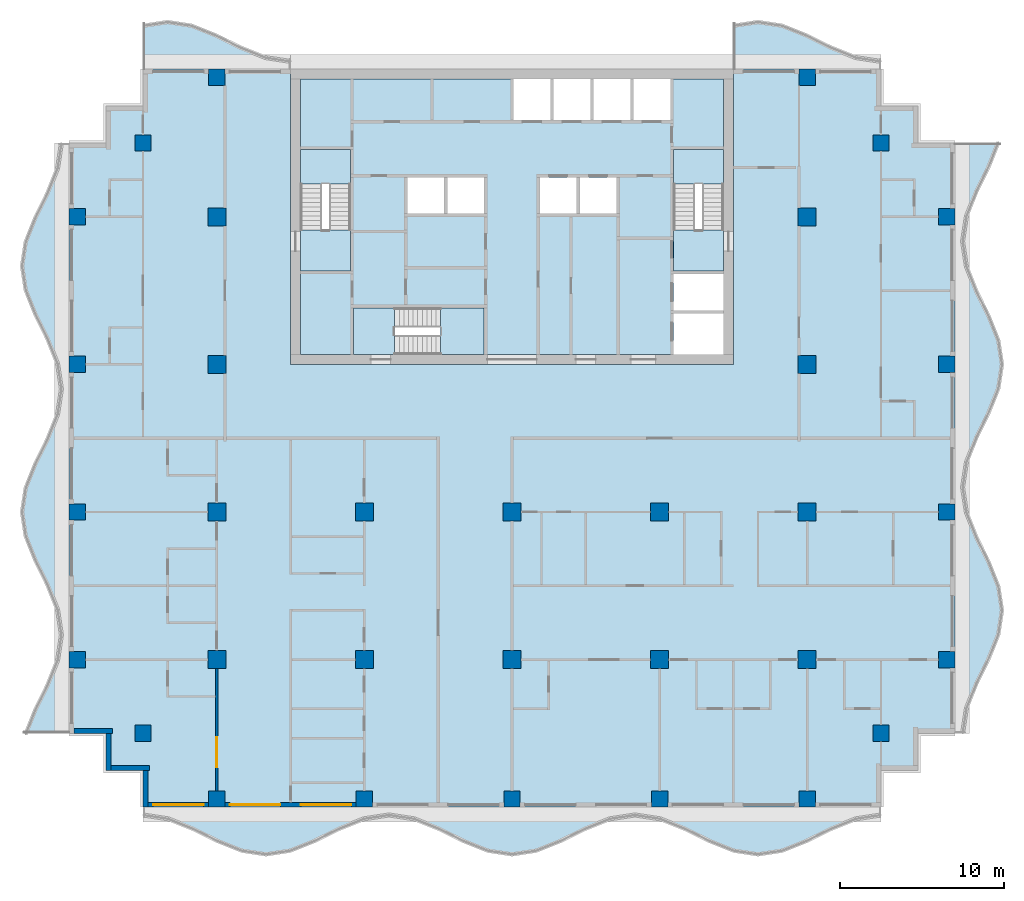
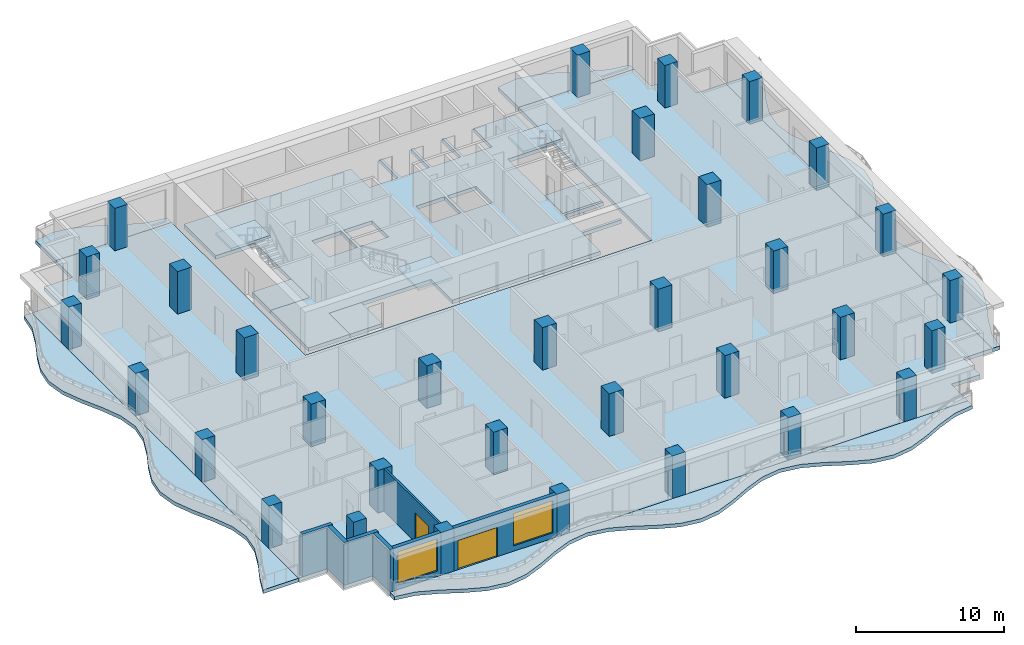
# One storey, part 1 of 12: 33 columns, 13 slabs, 7 walls, 2 doors, 2 windows, 4 openings, 3 elements without a shape of their own.
"""IFC4 building model written with IfcOpenShell, lengths in metres."""

from ifc_helpers import new_model, si_unit, direction, frame, frame_2d, origin, origin_2d, place, context, subcontext, project, spatial, polyline, rectangle, outline, extrude, material, layer, layer_set, material_profile, profile_set, type_object, element, fill, aggregate, save


model = new_model("IFC4")

# Units and contexts
model_context = context("Model", 3, precision=1e-05, world=origin(), true_north=direction((0.0, 1.0)))
body_context = subcontext(model_context, "Body", "Model", "MODEL_VIEW")
ifc_project = project(units=[si_unit("LENGTHUNIT", "METRE"), si_unit("AREAUNIT", "SQUARE_METRE"), si_unit("VOLUMEUNIT", "CUBIC_METRE"), si_unit("PLANEANGLEUNIT", "RADIAN"), si_unit("MASSUNIT", "GRAM", prefix="KILO")], contexts=[model_context])

# Site, building, storey
site_placement = place(None, origin())
site = spatial("IfcSite", under=ifc_project, at=site_placement, CompositionType="ELEMENT")
building_placement = place(site_placement, origin())
building = spatial("IfcBuilding", under=site, at=building_placement, Name="Orbiselva Terraces", CompositionType="ELEMENT")
storey_placement = place(building_placement, frame((0.0, 0.0, 203.4)))
storey = spatial("IfcBuildingStorey", under=building, at=storey_placement, Name="L51", CompositionType="ELEMENT", Elevation=203.4)

# Columns
ifc_material_1 = material(Name="Concrete C60/75", Category="concrete")
ifc_material_profile_1 = material_profile(ifc_material_1, rectangle(XDim=1.1, YDim=1.1, at=origin_2d()), Name="RC 1100x1100")
ifc_profile_set_1 = profile_set([ifc_material_profile_1], Name="Concrete C60/75")
column_type_1 = type_object("IfcColumnType", Name="COLUMN RC 1100x1100", PredefinedType="COLUMN", material=ifc_profile_set_1)
for number, where, z_axis, x_axis, name in (
    (1, (-18.0, -13.5, 0.0), (0.0, 0.0, 1.0), (1.0, 0.0, 0.0), "Column L51-01"),
    (2, (-18.0, -4.5, 0.0), (0.0, 0.0, 1.0), (1.0, 0.0, 0.0), "Column L51-03"),
    (3, (-18.0, 13.5, 0.0), (0.0, 0.0, 1.0), (1.0, 0.0, 0.0), "Column L51-04"),
    (4, (-18.0, 4.5, 0.0), (0.0, 0.0, 1.0), (1.0, 0.0, 0.0), "Column L51-06"),
    (5, (-9.0, -13.5, 0.0), (0.0, 0.0, 1.0), (1.0, 0.0, 0.0), "Column L51-13"),
    (6, (-9.0, -4.5, 0.0), (0.0, 0.0, 1.0), (1.0, 0.0, 0.0), "Column L51-15"),
    (7, (0.0, -13.5, 0.0), (0.0, 0.0, 1.0), (1.0, 0.0, 0.0), "Column L51-16"),
    (8, (0.0, -4.5, 0.0), (0.0, 0.0, 1.0), (1.0, 0.0, 0.0), "Column L51-18"),
    (9, (18.0, -13.5, 0.0), (0.0, 0.0, 1.0), (1.0, 0.0, 0.0), "Column L51-19"),
    (10, (18.0, -4.5, 0.0), (0.0, 0.0, 1.0), (1.0, 0.0, 0.0), "Column L51-21"),
    (11, (18.0, 13.5, 0.0), (0.0, 0.0, 1.0), (1.0, 0.0, 0.0), "Column L51-22"),
    (12, (18.0, 4.5, 0.0), (0.0, 0.0, 1.0), (1.0, 0.0, 0.0), "Column L51-24"),
    (13, (9.0, -13.5, 0.0), (0.0, 0.0, 1.0), (1.0, 0.0, 0.0), "Column L51-31"),
    (14, (9.0, -4.5, 0.0), (0.0, 0.0, 1.0), (1.0, 0.0, 0.0), "Column L51-33"),
):
    element("IfcColumn", number, at=place(storey_placement, frame(where, z_axis=z_axis, x_axis=x_axis)), inside=storey, type_object=column_type_1, Name=name, PredefinedType="COLUMN", context=body_context, shape_type="SweptSolid", body=[
        extrude(rectangle(XDim=1.1, YDim=1.1, at=origin_2d()), origin(), (0.0, 0.0, 1.0), 3.5),
    ])
ifc_material_2 = material(Name="Concrete C50/60", Category="concrete")
ifc_material_profile_2 = material_profile(ifc_material_2, rectangle(XDim=1.0, YDim=1.0, at=origin_2d()), Name="RC 1000x1000")
ifc_profile_set_2 = profile_set([ifc_material_profile_2], Name="Concrete C50/60")
column_type_2 = type_object("IfcColumnType", Name="PERIMETER COLUMN RC 1000x1000", PredefinedType="COLUMN", material=ifc_profile_set_2)
for number, where, z_axis, x_axis, name in (
    (15, (-18.0, -22.0, 0.0), (0.0, 0.0, 1.0), (1.0, 0.0, 0.0), "Column L51-02"),
    (16, (-18.0, 22.0, 0.0), (0.0, 0.0, 1.0), (1.0, 0.0, 0.0), "Column L51-05"),
    (17, (-26.5, -13.5, 0.0), (0.0, 0.0, 1.0), (1.0, 0.0, 0.0), "Column L51-07"),
    (18, (-22.5, -18.0, 0.0), (0.0, 0.0, 1.0), (1.0, 0.0, 0.0), "Column L51-08"),
    (19, (-26.5, -4.5, 0.0), (0.0, 0.0, 1.0), (1.0, 0.0, 0.0), "Column L51-09"),
    (20, (-26.5, 13.5, 0.0), (0.0, 0.0, 1.0), (1.0, 0.0, 0.0), "Column L51-10"),
    (21, (-22.5, 18.0, 0.0), (0.0, 0.0, 1.0), (1.0, 0.0, 0.0), "Column L51-11"),
    (22, (-26.5, 4.5, 0.0), (0.0, 0.0, 1.0), (1.0, 0.0, 0.0), "Column L51-12"),
    (23, (-9.0, -22.0, 0.0), (0.0, 0.0, 1.0), (1.0, 0.0, 0.0), "Column L51-14"),
    (24, (0.0, -22.0, 0.0), (0.0, 0.0, 1.0), (1.0, 0.0, 0.0), "Column L51-17"),
    (25, (18.0, -22.0, 0.0), (0.0, 0.0, 1.0), (1.0, 0.0, 0.0), "Column L51-20"),
    (26, (18.0, 22.0, 0.0), (0.0, 0.0, 1.0), (1.0, 0.0, 0.0), "Column L51-23"),
    (27, (26.5, -13.5, 0.0), (0.0, 0.0, 1.0), (1.0, 0.0, 0.0), "Column L51-25"),
    (28, (22.5, -18.0, 0.0), (0.0, 0.0, 1.0), (1.0, 0.0, 0.0), "Column L51-26"),
    (29, (26.5, -4.5, 0.0), (0.0, 0.0, 1.0), (1.0, 0.0, 0.0), "Column L51-27"),
    (30, (26.5, 13.5, 0.0), (0.0, 0.0, 1.0), (1.0, 0.0, 0.0), "Column L51-28"),
    (31, (22.5, 18.0, 0.0), (0.0, 0.0, 1.0), (1.0, 0.0, 0.0), "Column L51-29"),
    (32, (26.5, 4.5, 0.0), (0.0, 0.0, 1.0), (1.0, 0.0, 0.0), "Column L51-30"),
    (33, (9.0, -22.0, 0.0), (0.0, 0.0, 1.0), (1.0, 0.0, 0.0), "Column L51-32"),
):
    element("IfcColumn", number, at=place(storey_placement, frame(where, z_axis=z_axis, x_axis=x_axis)), inside=storey, type_object=column_type_2, Name=name, PredefinedType="COLUMN", context=body_context, shape_type="SweptSolid", body=[
        extrude(rectangle(XDim=1.0, YDim=1.0, at=origin_2d()), origin(), (0.0, 0.0, 1.0), 3.5),
    ])

# Slabs
ifc_material_3 = material(Name="Concrete C40/50", Category="concrete")
ifc_layer_1 = layer(ifc_material_3, 0.3)
ifc_layer_set_1 = layer_set([ifc_layer_1], Name="Concrete C40/50")
slab_type_1 = type_object("IfcSlabType", Name="CORE-SLAB-FLOOR-300", PredefinedType="FLOOR", material=ifc_layer_set_1)
slab_1_placement = place(storey_placement, frame((0.0, 0.0, -0.3)))
element("IfcSlab", 34, at=slab_1_placement, inside=storey, type_object=slab_type_1, Name="L51 S1 floor landing", PredefinedType="FLOOR", context=body_context, shape_type="SweptSolid", body=[
    extrude(outline(polyline([(-12.9, 12.7), (-9.85, 12.7), (-9.85, 10.2), (-12.9, 10.2), (-12.9, 12.7)])), origin(), (0.0, 0.0, 1.0), 0.3),
])
slab_2_placement = place(storey_placement, frame((0.0, 0.0, -0.3)))
element("IfcSlab", 35, at=slab_2_placement, inside=storey, type_object=slab_type_1, Name="L51 S2 floor landing", PredefinedType="FLOOR", context=body_context, shape_type="SweptSolid", body=[
    extrude(outline(polyline([(12.9, 12.7), (12.9, 10.2), (9.85, 10.2), (9.85, 12.7), (12.9, 12.7)])), origin(), (0.0, 0.0, 1.0), 0.3),
])
slab_3_placement = place(storey_placement, frame((0.0, 0.0, -0.3)))
element("IfcSlab", 36, at=slab_3_placement, inside=storey, type_object=slab_type_1, Name="L51 S3 floor landing", PredefinedType="FLOOR", context=body_context, shape_type="SweptSolid", body=[
    extrude(outline(polyline([(-7.15, 5.1), (-9.65, 5.1), (-9.65, 7.95), (-7.15, 7.95), (-7.15, 5.1)])), origin(), (0.0, 0.0, 1.0), 0.3),
])
slab_4_placement = place(storey_placement, frame((0.0, 0.0, -0.3)))
element("IfcSlab", 37, at=slab_4_placement, inside=storey, type_object=slab_type_1, Name="L51 core floor slab 1", PredefinedType="FLOOR", context=body_context, shape_type="SweptSolid", body=[
    extrude(outline(polyline([(-1.7, 5.1), (-1.7, 7.95), (-9.65, 7.95), (-9.65, 5.1), (-12.9, 5.1), (-12.9, 10.2), (-9.85, 10.2), (-9.85, 17.6), (-12.9, 17.6), (-12.9, 21.9), (0.1, 21.9), (0.1, 19.4), (2.3375, 19.4), (2.3375, 21.9), (2.5375, 21.9), (2.5375, 19.4), (4.775, 19.4), (4.775, 21.9), (4.975, 21.9), (4.975, 19.4), (7.2125, 19.4), (7.2125, 21.9), (7.4125, 21.9), (7.4125, 19.4), (9.65, 19.4), (9.65, 21.9), (12.9, 21.9), (12.9, 17.6), (9.85, 17.6), (9.85, 10.2), (12.9, 10.2), (12.9, 10.0), (9.85, 10.0), (9.85, 7.8), (12.9, 7.8), (12.9, 7.6), (9.85, 7.6), (9.85, 5.1), (-1.7, 5.1)]), holes=[polyline([(-4.1375, 13.7), (-4.1375, 15.9), (-6.375, 15.9), (-6.375, 13.7), (-4.1375, 13.7)]), polyline([(-1.7, 13.7), (-1.7, 15.9), (-3.9375, 15.9), (-3.9375, 13.7), (-1.7, 13.7)]), polyline([(3.9375, 15.9), (1.7, 15.9), (1.7, 13.7), (3.9375, 13.7), (3.9375, 15.9)]), polyline([(6.375, 13.7), (6.375, 15.9), (4.1375, 15.9), (4.1375, 13.7), (6.375, 13.7)])]), origin(), (0.0, 0.0, 1.0), 0.3),
])

# Stair, slab
stair_type_1 = type_object("IfcStairType", Name="CORE-STAIR-1300", PredefinedType="HALF_TURN_STAIR", material=ifc_material_3)
stair_1_placement = place(storey_placement, origin())
stair_1 = element("IfcStair", 38, at=stair_1_placement, inside=storey, type_object=stair_type_1, Name="L51 Exit Stair S1", PredefinedType="HALF_TURN_STAIR")
ifc_layer_2 = layer(ifc_material_3, 0.2)
ifc_layer_set_2 = layer_set([ifc_layer_2], Name="Concrete C40/50")
slab_type_2 = type_object("IfcSlabType", Name="CORE-STAIR-LANDING-200", PredefinedType="LANDING", material=ifc_layer_set_2)
slab_5_placement = place(storey_placement, frame((0.0, 0.0, 1.7)))
slab_5 = element("IfcSlab", 39, at=slab_5_placement, type_object=slab_type_2, Name="S1 landing 1", PredefinedType="LANDING", context=body_context, shape_type="SweptSolid", body=[
    extrude(outline(polyline([(-9.85, 15.5), (-9.85, 17.6), (-12.9, 17.6), (-12.9, 15.5), (-9.85, 15.5)])), origin(), (0.0, 0.0, 1.0), 0.2),
])
aggregate(stair_1, [slab_5])

stair_2_placement = place(storey_placement, origin())
stair_2 = element("IfcStair", 40, at=stair_2_placement, inside=storey, type_object=stair_type_1, Name="L51 Exit Stair S2", PredefinedType="HALF_TURN_STAIR")
slab_6_placement = place(storey_placement, frame((0.0, 0.0, 1.7)))
slab_6 = element("IfcSlab", 41, at=slab_6_placement, type_object=slab_type_2, Name="S2 landing 1", PredefinedType="LANDING", context=body_context, shape_type="SweptSolid", body=[
    extrude(outline(polyline([(12.9, 15.5), (12.9, 17.6), (9.85, 17.6), (9.85, 15.5), (12.9, 15.5)])), origin(), (0.0, 0.0, 1.0), 0.2),
])
aggregate(stair_2, [slab_6])

stair_type_2 = type_object("IfcStairType", Name="CORE-STAIR-1200", PredefinedType="HALF_TURN_STAIR", material=ifc_material_3)
stair_3_placement = place(storey_placement, origin())
stair_3 = element("IfcStair", 42, at=stair_3_placement, inside=storey, type_object=stair_type_2, Name="L51 Exit Stair S3", PredefinedType="HALF_TURN_STAIR")
slab_7_placement = place(storey_placement, frame((0.0, 0.0, 1.7)))
slab_7 = element("IfcSlab", 43, at=slab_7_placement, type_object=slab_type_2, Name="S3 landing 1", PredefinedType="LANDING", context=body_context, shape_type="SweptSolid", body=[
    extrude(outline(polyline([(-4.35, 5.1), (-1.7, 5.1), (-1.7, 7.95), (-4.35, 7.95), (-4.35, 5.1)])), origin(), (0.0, 0.0, 1.0), 0.2),
])
aggregate(stair_3, [slab_7])

# Slabs
ifc_layer_3 = layer(ifc_material_2, 0.3)
ifc_layer_set_3 = layer_set([ifc_layer_3], Name="Concrete C50/60")
slab_type_3 = type_object("IfcSlabType", Name="ENV-BALCONY-SLAB-300", PredefinedType="FLOOR", material=ifc_layer_set_3)
slab_8_placement = place(storey_placement, frame((0.0, 0.0, -0.3)))
element("IfcSlab", 44, at=slab_8_placement, inside=storey, type_object=slab_type_3, Name="Balcony slab L51 S", PredefinedType="FLOOR", context=body_context, shape_type="SweptSolid", body=[
    extrude(outline(polyline([(-22.5, -23.1), (-21.0, -23.32918), (-19.5, -23.92918), (-18.0, -24.67082), (-16.5, -25.27082), (-15.0, -25.5), (-13.5, -25.27082), (-12.0, -24.67082), (-10.5, -23.92918), (-9.0, -23.32918), (-7.5, -23.1), (-6.0, -23.32918), (-4.5, -23.92918), (-3.0, -24.67082), (-1.5, -25.27082), (0.0, -25.5), (1.5, -25.27082), (3.0, -24.67082), (4.5, -23.92918), (6.0, -23.32918), (7.5, -23.1), (9.0, -23.32918), (10.5, -23.92918), (12.0, -24.67082), (13.5, -25.27082), (15.0, -25.5), (16.5, -25.27082), (18.0, -24.67082), (19.5, -23.92918), (21.0, -23.32918), (22.5, -23.1), (22.5, -22.5), (-22.5, -22.5), (-22.5, -23.1)])), origin(), (0.0, 0.0, 1.0), 0.3),
])
slab_9_placement = place(storey_placement, frame((0.0, 0.0, -0.3)))
element("IfcSlab", 45, at=slab_9_placement, inside=storey, type_object=slab_type_3, Name="Balcony slab L51 E", PredefinedType="FLOOR", context=body_context, shape_type="SweptSolid", body=[
    extrude(outline(polyline([(27.6, -18.0), (27.82918, -16.5), (28.42918, -15.0), (29.17082, -13.5), (29.77082, -12.0), (30.0, -10.5), (29.77082, -9.0), (29.17082, -7.5), (28.42918, -6.0), (27.82918, -4.5), (27.6, -3.0), (27.82918, -1.5), (28.42918, 0.0), (29.17082, 1.5), (29.77082, 3.0), (30.0, 4.5), (29.77082, 6.0), (29.17082, 7.5), (28.42918, 9.0), (27.82918, 10.5), (27.6, 12.0), (27.82918, 13.5), (28.42918, 15.0), (29.17082, 16.5), (29.77082, 18.0), (27.0, 18.0), (27.0, -18.0), (27.6, -18.0)])), origin(), (0.0, 0.0, 1.0), 0.3),
])
slab_10_placement = place(storey_placement, frame((0.0, 0.0, -0.3)))
element("IfcSlab", 46, at=slab_10_placement, inside=storey, type_object=slab_type_3, Name="Balcony slab L51 NE", PredefinedType="FLOOR", context=body_context, shape_type="SweptSolid", body=[
    extrude(outline(polyline([(22.5, 23.1), (21.0, 23.32918), (19.5, 23.92918), (18.0, 24.67082), (16.5, 25.27082), (15.0, 25.5), (13.5, 25.27082), (13.5, 22.5), (22.5, 22.5), (22.5, 23.1)])), origin(), (0.0, 0.0, 1.0), 0.3),
])
slab_11_placement = place(storey_placement, frame((0.0, 0.0, -0.3)))
element("IfcSlab", 47, at=slab_11_placement, inside=storey, type_object=slab_type_3, Name="Balcony slab L51 NW", PredefinedType="FLOOR", context=body_context, shape_type="SweptSolid", body=[
    extrude(outline(polyline([(-13.5, 23.1), (-15.0, 23.32918), (-16.5, 23.92918), (-18.0, 24.67082), (-19.5, 25.27082), (-21.0, 25.5), (-22.5, 25.27082), (-22.5, 22.5), (-13.5, 22.5), (-13.5, 23.1)])), origin(), (0.0, 0.0, 1.0), 0.3),
])
slab_12_placement = place(storey_placement, frame((0.0, 0.0, -0.3)))
element("IfcSlab", 48, at=slab_12_placement, inside=storey, type_object=slab_type_3, Name="Balcony slab L51 W", PredefinedType="FLOOR", context=body_context, shape_type="SweptSolid", body=[
    extrude(outline(polyline([(-27.6, 18.0), (-27.82918, 16.5), (-28.42918, 15.0), (-29.17082, 13.5), (-29.77082, 12.0), (-30.0, 10.5), (-29.77082, 9.0), (-29.17082, 7.5), (-28.42918, 6.0), (-27.82918, 4.5), (-27.6, 3.0), (-27.82918, 1.5), (-28.42918, 0.0), (-29.17082, -1.5), (-29.77082, -3.0), (-30.0, -4.5), (-29.77082, -6.0), (-29.17082, -7.5), (-28.42918, -9.0), (-27.82918, -10.5), (-27.6, -12.0), (-27.82918, -13.5), (-28.42918, -15.0), (-29.17082, -16.5), (-29.77082, -18.0), (-27.0, -18.0), (-27.0, 18.0), (-27.6, 18.0)])), origin(), (0.0, 0.0, 1.0), 0.3),
])
ifc_layer_4 = layer(ifc_material_2, 0.3)
ifc_layer_set_4 = layer_set([ifc_layer_4], Name="Concrete C50/60")
slab_type_4 = type_object("IfcSlabType", Name="FLOOR SLAB 300", PredefinedType="FLOOR", material=ifc_layer_set_4)
slab_13_placement = place(storey_placement, frame((0.0, 0.0, -0.3)))
element("IfcSlab", 49, at=slab_13_placement, inside=storey, type_object=slab_type_4, Name="Floor slab L51", PredefinedType="FLOOR", context=body_context, shape_type="SweptSolid", body=[
    extrude(outline(polyline([(22.5, 22.5), (22.5, 20.25), (24.75, 20.25), (24.75, 18.0), (27.0, 18.0), (27.0, -18.0), (24.75, -18.0), (24.75, -20.25), (22.5, -20.25), (22.5, -22.5), (-22.5, -22.5), (-22.5, -20.25), (-24.75, -20.25), (-24.75, -18.0), (-27.0, -18.0), (-27.0, 18.0), (-24.75, 18.0), (-24.75, 20.25), (-22.5, 20.25), (-22.5, 22.5), (-13.5, 22.5), (-13.5, 4.5), (13.5, 4.5), (13.5, 22.5), (22.5, 22.5)])), origin(), (0.0, 0.0, 1.0), 0.3),
])

# Wall, opening, window
ifc_material_4 = material(Name="Terracotta cladding on masonry backing", Category="masonry")
ifc_layer_5 = layer(ifc_material_4, 0.3)
ifc_layer_set_5 = layer_set([ifc_layer_5], Name="Terracotta cladding on masonry backing")
wall_type_1 = type_object("IfcWallType", Name="ENV-WALL-TERRACOTTA-300", PredefinedType="SOLIDWALL", material=ifc_layer_set_5)
wall_1_placement = place(storey_placement, frame((-18.5, -22.35, 0.0), z_axis=(0.0, 0.0, 1.0), x_axis=(-1.0, 0.0, 0.0)))
wall_1 = element("IfcWall", 50, at=wall_1_placement, inside=storey, type_object=wall_type_1, Name="Facade wall L51 S", PredefinedType="SOLIDWALL", context=body_context, shape_type="SweptSolid", body=[
    extrude(rectangle(XDim=3.7, YDim=0.3, at=frame_2d((1.85, 0.0))), origin(), (0.0, 0.0, 1.0), 3.5),
])
opening_1_placement = place(wall_1_placement, frame((0.3, 0.0, 0.45)))
opening_1 = element("IfcOpeningElement", 51, at=opening_1_placement, cuts=wall_1, Name="Opening WN15", PredefinedType="OPENING", context=body_context, shape_type="SweptSolid", body=[
    extrude(rectangle(XDim=3.075, YDim=2.65, at=frame_2d((1.5375, 1.325))), frame((0.0, 0.16, 0.0), z_axis=(0.0, -1.0, 0.0), x_axis=(1.0, 0.0, 0.0)), (0.0, 0.0, 1.0), 0.32),
])
ifc_material_5 = material(Name="Clear low-e glazing in aluminium frame", Category="aluminium")
window_type = type_object("IfcWindowType", Name="WINDOW 3075 X 2650 S450", PartitioningType="TRIPLE_PANEL_VERTICAL", PredefinedType="WINDOW", material=ifc_material_5)
window_1_placement = place(opening_1_placement, origin())
window_1 = element("IfcWindow", 52, at=window_1_placement, inside=storey, type_object=window_type, Name="Window L51 S", OverallHeight=2.65, OverallWidth=3.075, PartitioningType="SINGLE_PANEL", PredefinedType="WINDOW", context=body_context, shape_type="SweptSolid", body=[
    extrude(rectangle(XDim=3.075, YDim=2.65, at=frame_2d((1.5375, 1.325))), frame((0.0, 0.03, 0.0), z_axis=(0.0, -1.0, 0.0), x_axis=(1.0, 0.0, 0.0)), (0.0, 0.0, 1.0), 0.06),
])
fill(opening_1, window_1)

# Wall, openings, door, window
wall_2_placement = place(storey_placement, frame((-9.5, -22.35, 0.0), z_axis=(0.0, 0.0, 1.0), x_axis=(-1.0, 0.0, 0.0)))
wall_2 = element("IfcWall", 53, at=wall_2_placement, inside=storey, type_object=wall_type_1, Name="Facade wall L51 S", PredefinedType="SOLIDWALL", context=body_context, shape_type="SweptSolid", body=[
    extrude(rectangle(XDim=8.0, YDim=0.3, at=frame_2d((4.0, 0.0))), origin(), (0.0, 0.0, 1.0), 3.5),
])
opening_2_placement = place(wall_2_placement, frame((4.625, 0.0, 0.0)))
opening_2 = element("IfcOpeningElement", 54, at=opening_2_placement, cuts=wall_2, Name="Opening Z4-B-E10", PredefinedType="OPENING", context=body_context, shape_type="SweptSolid", body=[
    extrude(rectangle(XDim=3.075, YDim=2.4, at=frame_2d((1.5375, 1.2))), frame((0.0, 0.16, 0.0), z_axis=(0.0, -1.0, 0.0), x_axis=(1.0, 0.0, 0.0)), (0.0, 0.0, 1.0), 0.32),
])
opening_3_placement = place(wall_2_placement, frame((0.3, 0.0, 0.45)))
opening_3 = element("IfcOpeningElement", 55, at=opening_3_placement, cuts=wall_2, Name="Opening WN15", PredefinedType="OPENING", context=body_context, shape_type="SweptSolid", body=[
    extrude(rectangle(XDim=3.075, YDim=2.65, at=frame_2d((1.5375, 1.325))), frame((0.0, 0.16, 0.0), z_axis=(0.0, -1.0, 0.0), x_axis=(1.0, 0.0, 0.0)), (0.0, 0.0, 1.0), 0.32),
])
door_type_1 = type_object("IfcDoorType", Name="BALCONY DOOR 3075 X 2400", OperationType="DOUBLE_DOOR_SLIDING", PredefinedType="DOOR", material=ifc_material_5)
door_1_placement = place(opening_2_placement, origin())
door_1 = element("IfcDoor", 56, at=door_1_placement, inside=storey, type_object=door_type_1, Name="Z4-B-E10", OperationType="SINGLE_SWING_LEFT", OverallHeight=2.4, OverallWidth=3.075, PredefinedType="DOOR", context=body_context, shape_type="SweptSolid", body=[
    extrude(rectangle(XDim=3.075, YDim=2.4, at=frame_2d((1.5375, 1.2))), frame((0.0, 0.025, 0.0), z_axis=(0.0, -1.0, 0.0), x_axis=(1.0, 0.0, 0.0)), (0.0, 0.0, 1.0), 0.05),
])
fill(opening_2, door_1)
window_2_placement = place(opening_3_placement, origin())
window_2 = element("IfcWindow", 57, at=window_2_placement, inside=storey, type_object=window_type, Name="Window L51 S", OverallHeight=2.65, OverallWidth=3.075, PartitioningType="SINGLE_PANEL", PredefinedType="WINDOW", context=body_context, shape_type="SweptSolid", body=[
    extrude(rectangle(XDim=3.075, YDim=2.65, at=frame_2d((1.5375, 1.325))), frame((0.0, 0.03, 0.0), z_axis=(0.0, -1.0, 0.0), x_axis=(1.0, 0.0, 0.0)), (0.0, 0.0, 1.0), 0.06),
])
fill(opening_3, window_2)

# Walls
wall_3_placement = place(storey_placement, frame((-24.35, -17.85, 0.0), z_axis=(0.0, 0.0, 1.0), x_axis=(-1.0, 0.0, 0.0)))
element("IfcWall", 58, at=wall_3_placement, inside=storey, type_object=wall_type_1, Name="Facade wall L51 STEP", PredefinedType="SOLIDWALL", context=body_context, shape_type="SweptSolid", body=[
    extrude(rectangle(XDim=2.35, YDim=0.3, at=frame_2d((1.175, 0.0))), origin(), (0.0, 0.0, 1.0), 3.5),
])
wall_4_placement = place(storey_placement, frame((-24.6, -20.25, 0.0), z_axis=(0.0, 0.0, 1.0), x_axis=(0.0, 1.0, 0.0)))
element("IfcWall", 59, at=wall_4_placement, inside=storey, type_object=wall_type_1, Name="Facade wall L51 STEP", PredefinedType="SOLIDWALL", context=body_context, shape_type="SweptSolid", body=[
    extrude(rectangle(XDim=2.25, YDim=0.3, at=frame_2d((1.125, 0.0))), origin(), (0.0, 0.0, 1.0), 3.5),
])
wall_5_placement = place(storey_placement, frame((-22.1, -20.1, 0.0), z_axis=(0.0, 0.0, 1.0), x_axis=(-1.0, 0.0, 0.0)))
element("IfcWall", 60, at=wall_5_placement, inside=storey, type_object=wall_type_1, Name="Facade wall L51 STEP", PredefinedType="SOLIDWALL", context=body_context, shape_type="SweptSolid", body=[
    extrude(rectangle(XDim=2.35, YDim=0.3, at=frame_2d((1.175, 0.0))), origin(), (0.0, 0.0, 1.0), 3.5),
])
wall_6_placement = place(storey_placement, frame((-22.35, -22.5, 0.0), z_axis=(0.0, 0.0, 1.0), x_axis=(0.0, 1.0, 0.0)))
element("IfcWall", 61, at=wall_6_placement, inside=storey, type_object=wall_type_1, Name="Facade wall L51 STEP", PredefinedType="SOLIDWALL", context=body_context, shape_type="SweptSolid", body=[
    extrude(rectangle(XDim=2.25, YDim=0.3, at=frame_2d((1.125, 0.0))), origin(), (0.0, 0.0, 1.0), 3.5),
])

# Wall, opening, door
ifc_material_6 = material(Name="Plasterboard on steel stud partition", Category="steel")
ifc_layer_6 = layer(ifc_material_6, 0.15)
ifc_layer_set_6 = layer_set([ifc_layer_6], Name="Plasterboard on steel stud partition")
wall_type_2 = type_object("IfcWallType", Name="UNIT-PARTITION-150", PredefinedType="PARTITIONING", material=ifc_layer_set_6)
wall_7_placement = place(storey_placement, frame((-18.0, -21.5, 0.0), z_axis=(0.0, 0.0, 1.0), x_axis=(0.0, 1.0, 0.0)))
wall_7 = element("IfcWall", 62, at=wall_7_placement, inside=storey, type_object=wall_type_2, Name="PARTITION L51-049", PredefinedType="PARTITIONING", context=body_context, shape_type="SweptSolid", body=[
    extrude(rectangle(XDim=7.45, YDim=0.15, at=frame_2d((3.725, 0.0))), origin(), (0.0, 0.0, 1.0), 3.5),
])
opening_4_placement = place(wall_7_placement, frame((1.45, 0.0, 0.0)))
opening_4 = element("IfcOpeningElement", 63, at=opening_4_placement, cuts=wall_7, Name="Opening Z4-B-28", PredefinedType="OPENING", context=body_context, shape_type="SweptSolid", body=[
    extrude(rectangle(XDim=1.8, YDim=2.4, at=frame_2d((0.9, 1.2))), frame((0.0, 0.085, 0.0), z_axis=(0.0, -1.0, 0.0), x_axis=(1.0, 0.0, 0.0)), (0.0, 0.0, 1.0), 0.17),
])
ifc_material_7 = material(Name="Painted timber door leaf", Category="wood")
door_type_2 = type_object("IfcDoorType", Name="DOUBLE DOOR 1800", OperationType="NOTDEFINED", PredefinedType="DOOR", material=ifc_material_7)
door_2_placement = place(opening_4_placement, origin())
door_2 = element("IfcDoor", 64, at=door_2_placement, inside=storey, type_object=door_type_2, Name="Z4-B-28", OperationType="DOUBLE_DOOR_SINGLE_SWING", OverallHeight=2.4, OverallWidth=1.8, PredefinedType="DOOR", context=body_context, shape_type="SweptSolid", body=[
    extrude(rectangle(XDim=1.8, YDim=2.4, at=frame_2d((0.9, 1.2))), frame((0.0, 0.025, 0.0), z_axis=(0.0, -1.0, 0.0), x_axis=(1.0, 0.0, 0.0)), (0.0, 0.0, 1.0), 0.05),
])
fill(opening_4, door_2)

save(model, "model.ifc")
